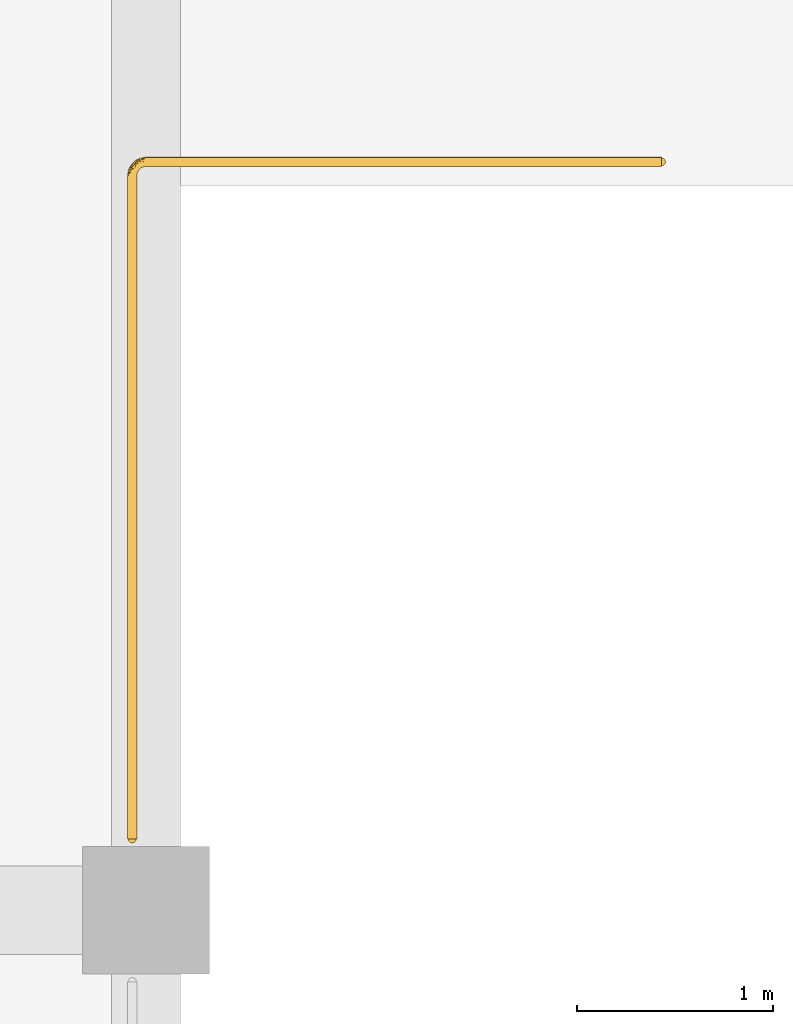
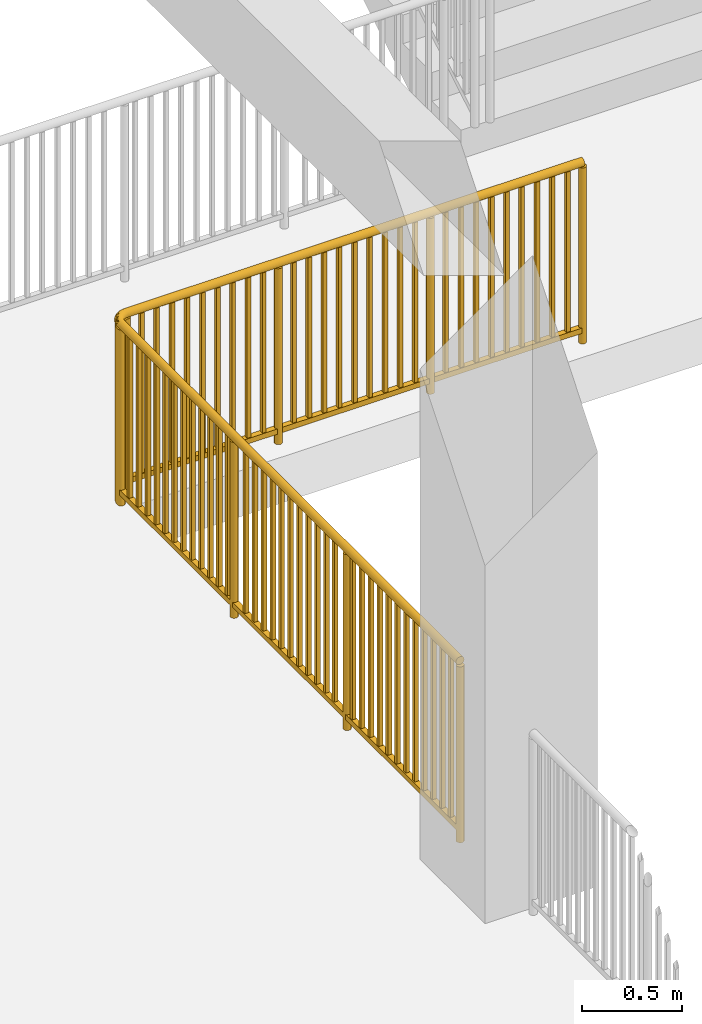
# One storey, part 58 of 63: 1 railing.
"""IFC4 building model written with IfcOpenShell, lengths in metres."""

from ifc_helpers import new_model, si_unit, direction, frame, origin, origin_2d, place, context, subcontext, project, spatial, rectangle, circle, extrude, material, type_object, element, save


model = new_model("IFC4")

# Units and contexts
model_context = context("Model", 3, precision=1e-05, world=origin(), true_north=direction((0.0, 1.0)))
body_context = subcontext(model_context, "Body", "Model", "MODEL_VIEW")
ifc_project = project(units=[si_unit("LENGTHUNIT", "METRE"), si_unit("AREAUNIT", "SQUARE_METRE"), si_unit("VOLUMEUNIT", "CUBIC_METRE"), si_unit("PLANEANGLEUNIT", "RADIAN"), si_unit("MASSUNIT", "GRAM", prefix="KILO")], contexts=[model_context])

# Site, building, storey
site_placement = place(None, origin())
site = spatial("IfcSite", under=ifc_project, at=site_placement, CompositionType="ELEMENT")
building_placement = place(site_placement, origin())
building = spatial("IfcBuilding", under=site, at=building_placement, Name="Zantavel Square City Hall", CompositionType="ELEMENT")
storey_placement = place(building_placement, frame((0.0, 0.0, 14.699951171875)))
storey = spatial("IfcBuildingStorey", under=building, at=storey_placement, Name="L04", CompositionType="ELEMENT", Elevation=14.699951171875)

# Railing
ifc_material = material(Name="Steel ASTM A500 Grade B", Category="steel")
railing_type = type_object("IfcRailingType", Name="Classical Stone & Steel Terrace Balustrade 1100mm", PredefinedType="BALUSTRADE", material=ifc_material)
railing_placement = place(storey_placement, frame((114.6298828125, 49.419921875, 0.0)))
element("IfcRailing", 1, at=railing_placement, inside=storey, type_object=railing_type, Name="L04 Terrace Balustrade 043", PredefinedType="BALUSTRADE", context=body_context, shape_type="SweptSolid", body=[
    extrude(circle(Radius=0.02392578125, at=origin_2d()), frame((0.0, 0.0, 1.09619140625), z_axis=(-1.0, 0.0, 0.0), x_axis=(0.0, -1.0, 0.0)), (0.0, 0.0, 1.0), 2.6298828125),
    extrude(rectangle(XDim=0.031982421875, YDim=0.031982421875, at=origin_2d()), frame((0.0, 0.0, 0.080078125), z_axis=(-1.0, 0.0, 0.0), x_axis=(0.0, -1.0, 0.0)), (0.0, 0.0, 1.0), 2.6298828125),
    extrude(rectangle(XDim=0.02197265625, YDim=0.02197265625, at=origin_2d()), frame((-0.087646484375, 0.0, 0.080078125)), (0.0, 0.0, 1.0), 0.991943359375),
    extrude(rectangle(XDim=0.02197265625, YDim=0.02197265625, at=origin_2d()), frame((-0.17529296875, 0.0, 0.080078125)), (0.0, 0.0, 1.0), 0.991943359375),
    extrude(rectangle(XDim=0.02197265625, YDim=0.02197265625, at=origin_2d()), frame((-0.262939453125, 0.0, 0.080078125)), (0.0, 0.0, 1.0), 0.991943359375),
    extrude(rectangle(XDim=0.02197265625, YDim=0.02197265625, at=origin_2d()), frame((-0.3505859375, 0.0, 0.080078125)), (0.0, 0.0, 1.0), 0.991943359375),
    extrude(rectangle(XDim=0.02197265625, YDim=0.02197265625, at=origin_2d()), frame((-0.438232421875, 0.0, 0.080078125)), (0.0, 0.0, 1.0), 0.991943359375),
    extrude(rectangle(XDim=0.02197265625, YDim=0.02197265625, at=origin_2d()), frame((-0.52587890625, 0.0, 0.080078125)), (0.0, 0.0, 1.0), 0.991943359375),
    extrude(rectangle(XDim=0.02197265625, YDim=0.02197265625, at=origin_2d()), frame((-0.613525390625, 0.0, 0.080078125)), (0.0, 0.0, 1.0), 0.991943359375),
    extrude(rectangle(XDim=0.02197265625, YDim=0.02197265625, at=origin_2d()), frame((-0.701416015625, 0.0, 0.080078125)), (0.0, 0.0, 1.0), 0.991943359375),
    extrude(rectangle(XDim=0.02197265625, YDim=0.02197265625, at=origin_2d()), frame((-0.7890625, 0.0, 0.080078125)), (0.0, 0.0, 1.0), 0.991943359375),
    extrude(rectangle(XDim=0.02197265625, YDim=0.02197265625, at=origin_2d()), frame((-0.96435546875, 0.0, 0.080078125)), (0.0, 0.0, 1.0), 0.991943359375),
    extrude(rectangle(XDim=0.02197265625, YDim=0.02197265625, at=origin_2d()), frame((-1.052001953125, 0.0, 0.080078125)), (0.0, 0.0, 1.0), 0.991943359375),
    extrude(rectangle(XDim=0.02197265625, YDim=0.02197265625, at=origin_2d()), frame((-1.1396484375, 0.0, 0.080078125)), (0.0, 0.0, 1.0), 0.991943359375),
    extrude(rectangle(XDim=0.02197265625, YDim=0.02197265625, at=origin_2d()), frame((-1.227294921875, 0.0, 0.080078125)), (0.0, 0.0, 1.0), 0.991943359375),
    extrude(rectangle(XDim=0.02197265625, YDim=0.02197265625, at=origin_2d()), frame((-1.31494140625, 0.0, 0.080078125)), (0.0, 0.0, 1.0), 0.991943359375),
    extrude(rectangle(XDim=0.02197265625, YDim=0.02197265625, at=origin_2d()), frame((-1.402587890625, 0.0, 0.080078125)), (0.0, 0.0, 1.0), 0.991943359375),
    extrude(rectangle(XDim=0.02197265625, YDim=0.02197265625, at=origin_2d()), frame((-1.490234375, 0.0, 0.080078125)), (0.0, 0.0, 1.0), 0.991943359375),
    extrude(rectangle(XDim=0.02197265625, YDim=0.02197265625, at=origin_2d()), frame((-1.577880859375, 0.0, 0.080078125)), (0.0, 0.0, 1.0), 0.991943359375),
    extrude(rectangle(XDim=0.02197265625, YDim=0.02197265625, at=origin_2d()), frame((-1.66552734375, 0.0, 0.080078125)), (0.0, 0.0, 1.0), 0.991943359375),
    extrude(rectangle(XDim=0.02197265625, YDim=0.02197265625, at=origin_2d()), frame((-1.8408203125, 0.0, 0.080078125)), (0.0, 0.0, 1.0), 0.991943359375),
    extrude(rectangle(XDim=0.02197265625, YDim=0.02197265625, at=origin_2d()), frame((-1.928466796875, 0.0, 0.080078125)), (0.0, 0.0, 1.0), 0.991943359375),
    extrude(rectangle(XDim=0.02197265625, YDim=0.02197265625, at=origin_2d()), frame((-2.016357421875, 0.0, 0.080078125)), (0.0, 0.0, 1.0), 0.991943359375),
    extrude(rectangle(XDim=0.02197265625, YDim=0.02197265625, at=origin_2d()), frame((-2.10400390625, 0.0, 0.080078125)), (0.0, 0.0, 1.0), 0.991943359375),
    extrude(rectangle(XDim=0.02197265625, YDim=0.02197265625, at=origin_2d()), frame((-2.191650390625, 0.0, 0.080078125)), (0.0, 0.0, 1.0), 0.991943359375),
    extrude(rectangle(XDim=0.02197265625, YDim=0.02197265625, at=origin_2d()), frame((-2.279296875, 0.0, 0.080078125)), (0.0, 0.0, 1.0), 0.991943359375),
    extrude(rectangle(XDim=0.02197265625, YDim=0.02197265625, at=origin_2d()), frame((-2.366943359375, 0.0, 0.080078125)), (0.0, 0.0, 1.0), 0.991943359375),
    extrude(rectangle(XDim=0.02197265625, YDim=0.02197265625, at=origin_2d()), frame((-2.45458984375, 0.0, 0.080078125)), (0.0, 0.0, 1.0), 0.991943359375),
    extrude(rectangle(XDim=0.02197265625, YDim=0.02197265625, at=origin_2d()), frame((-2.542236328125, 0.0, 0.080078125)), (0.0, 0.0, 1.0), 0.991943359375),
    extrude(circle(Radius=0.02392578125, at=origin_2d()), frame((-2.6298828125, 0.0, 1.09619140625), z_axis=(-0.999362854348, -0.035691530512, 0.0), x_axis=(0.035691530512, -0.999362854348, 0.0)), (0.0, 0.0, 1.0), 0.0068359375),
    extrude(rectangle(XDim=0.031982421875, YDim=0.031982421875, at=origin_2d()), frame((-2.6298828125, 0.0, 0.080078125), z_axis=(-0.999362854348, -0.035691530512, 0.0), x_axis=(0.035691530512, -0.999362854348, 0.0)), (0.0, 0.0, 1.0), 0.0068359375),
    extrude(circle(Radius=0.02392578125, at=origin_2d()), frame((-2.63671875, -0.000244140625, 1.09619140625), z_axis=(-0.989949493661, -0.141421356237, 0.0), x_axis=(0.141421356237, -0.989949493661, 0.0)), (0.0, 0.0, 1.0), 0.0068359375),
    extrude(rectangle(XDim=0.031982421875, YDim=0.031982421875, at=origin_2d()), frame((-2.63671875, -0.000244140625, 0.080078125), z_axis=(-0.989949493661, -0.141421356237, 0.0), x_axis=(0.141421356237, -0.989949493661, 0.0)), (0.0, 0.0, 1.0), 0.0068359375),
    extrude(circle(Radius=0.02392578125, at=origin_2d()), frame((-2.6435546875, -0.001220703125, 1.09619140625), z_axis=(-0.967996898166, -0.250962158784, 0.0), x_axis=(0.250962158784, -0.967996898166, 0.0)), (0.0, 0.0, 1.0), 0.0068359375),
    extrude(rectangle(XDim=0.031982421875, YDim=0.031982421875, at=origin_2d()), frame((-2.6435546875, -0.001220703125, 0.080078125), z_axis=(-0.967996898166, -0.250962158784, 0.0), x_axis=(0.250962158784, -0.967996898166, 0.0)), (0.0, 0.0, 1.0), 0.0068359375),
    extrude(circle(Radius=0.02392578125, at=origin_2d()), frame((-2.650146484375, -0.0029296875, 1.09619140625), z_axis=(-0.948683298051, -0.316227766017, 0.0), x_axis=(0.316227766017, -0.948683298051, 0.0)), (0.0, 0.0, 1.0), 0.0068359375),
    extrude(rectangle(XDim=0.031982421875, YDim=0.031982421875, at=origin_2d()), frame((-2.650146484375, -0.0029296875, 0.080078125), z_axis=(-0.948683298051, -0.316227766017, 0.0), x_axis=(0.316227766017, -0.948683298051, 0.0)), (0.0, 0.0, 1.0), 0.0068359375),
    extrude(circle(Radius=0.02392578125, at=origin_2d()), frame((-2.65673828125, -0.005126953125, 1.09619140625), z_axis=(-0.887216801235, -0.461352736642, 0.0), x_axis=(0.461352736642, -0.887216801235, 0.0)), (0.0, 0.0, 1.0), 0.0068359375),
    extrude(rectangle(XDim=0.031982421875, YDim=0.031982421875, at=origin_2d()), frame((-2.65673828125, -0.005126953125, 0.080078125), z_axis=(-0.887216801235, -0.461352736642, 0.0), x_axis=(0.461352736642, -0.887216801235, 0.0)), (0.0, 0.0, 1.0), 0.0068359375),
    extrude(circle(Radius=0.02392578125, at=origin_2d()), frame((-2.662841796875, -0.00830078125, 1.09619140625), z_axis=(-0.863778900898, -0.503871025524, 0.0), x_axis=(0.503871025524, -0.863778900898, 0.0)), (0.0, 0.0, 1.0), 0.0068359375),
    extrude(rectangle(XDim=0.031982421875, YDim=0.031982421875, at=origin_2d()), frame((-2.662841796875, -0.00830078125, 0.080078125), z_axis=(-0.863778900898, -0.503871025524, 0.0), x_axis=(0.503871025524, -0.863778900898, 0.0)), (0.0, 0.0, 1.0), 0.0068359375),
    extrude(circle(Radius=0.02392578125, at=origin_2d()), frame((-2.668701171875, -0.01171875, 1.09619140625), z_axis=(-0.804176141466, -0.594391061084, 0.0), x_axis=(0.594391061084, -0.804176141466, 0.0)), (0.0, 0.0, 1.0), 0.007080078125),
    extrude(rectangle(XDim=0.031982421875, YDim=0.031982421875, at=origin_2d()), frame((-2.668701171875, -0.01171875, 0.080078125), z_axis=(-0.804176141466, -0.594391061084, 0.0), x_axis=(0.594391061084, -0.804176141466, 0.0)), (0.0, 0.0, 1.0), 0.007080078125),
    extrude(circle(Radius=0.02392578125, at=origin_2d()), frame((-2.67431640625, -0.015869140625, 1.09619140625), z_axis=(-0.741535779124, -0.670913323969, 0.0), x_axis=(0.670913323969, -0.741535779124, 0.0)), (0.0, 0.0, 1.0), 0.0068359375),
    extrude(rectangle(XDim=0.031982421875, YDim=0.031982421875, at=origin_2d()), frame((-2.67431640625, -0.015869140625, 0.080078125), z_axis=(-0.741535779124, -0.670913323969, 0.0), x_axis=(0.670913323969, -0.741535779124, 0.0)), (0.0, 0.0, 1.0), 0.0068359375),
    extrude(circle(Radius=0.02392578125, at=origin_2d()), frame((-2.679443359375, -0.0205078125, 1.09619140625), z_axis=(-0.670913323969, -0.741535779124, 0.0), x_axis=(0.741535779124, -0.670913323969, 0.0)), (0.0, 0.0, 1.0), 0.0068359375),
    extrude(rectangle(XDim=0.031982421875, YDim=0.031982421875, at=origin_2d()), frame((-2.679443359375, -0.0205078125, 0.080078125), z_axis=(-0.670913323969, -0.741535779124, 0.0), x_axis=(0.741535779124, -0.670913323969, 0.0)), (0.0, 0.0, 1.0), 0.0068359375),
    extrude(circle(Radius=0.02392578125, at=origin_2d()), frame((-2.68408203125, -0.025634765625, 1.09619140625), z_axis=(-0.588171697675, -0.808736084303, 0.0), x_axis=(0.808736084303, -0.588171697675, 0.0)), (0.0, 0.0, 1.0), 0.006591796875),
    extrude(rectangle(XDim=0.031982421875, YDim=0.031982421875, at=origin_2d()), frame((-2.68408203125, -0.025634765625, 0.080078125), z_axis=(-0.588171697675, -0.808736084303, 0.0), x_axis=(0.808736084303, -0.588171697675, 0.0)), (0.0, 0.0, 1.0), 0.006591796875),
    extrude(circle(Radius=0.02392578125, at=origin_2d()), frame((-2.68798828125, -0.031005859375, 1.09619140625), z_axis=(-0.529998940003, -0.847998304005, 0.0), x_axis=(0.847998304005, -0.529998940003, 0.0)), (0.0, 0.0, 1.0), 0.0068359375),
    extrude(rectangle(XDim=0.031982421875, YDim=0.031982421875, at=origin_2d()), frame((-2.68798828125, -0.031005859375, 0.080078125), z_axis=(-0.529998940003, -0.847998304005, 0.0), x_axis=(0.847998304005, -0.529998940003, 0.0)), (0.0, 0.0, 1.0), 0.0068359375),
    extrude(circle(Radius=0.02392578125, at=origin_2d()), frame((-2.691650390625, -0.036865234375, 1.09619140625), z_axis=(-0.419058177462, -0.9079593845, 0.0), x_axis=(0.9079593845, -0.419058177462, 0.0)), (0.0, 0.0, 1.0), 0.007080078125),
    extrude(rectangle(XDim=0.031982421875, YDim=0.031982421875, at=origin_2d()), frame((-2.691650390625, -0.036865234375, 0.080078125), z_axis=(-0.419058177462, -0.9079593845, 0.0), x_axis=(0.9079593845, -0.419058177462, 0.0)), (0.0, 0.0, 1.0), 0.007080078125),
    extrude(circle(Radius=0.02392578125, at=origin_2d()), frame((-2.694580078125, -0.043212890625, 1.09619140625), z_axis=(-0.327110563883, -0.94498607344, 0.0), x_axis=(0.94498607344, -0.327110563883, 0.0)), (0.0, 0.0, 1.0), 0.0068359375),
    extrude(rectangle(XDim=0.031982421875, YDim=0.031982421875, at=origin_2d()), frame((-2.694580078125, -0.043212890625, 0.080078125), z_axis=(-0.327110563883, -0.94498607344, 0.0), x_axis=(0.94498607344, -0.327110563883, 0.0)), (0.0, 0.0, 1.0), 0.0068359375),
    extrude(circle(Radius=0.02392578125, at=origin_2d()), frame((-2.69677734375, -0.049560546875, 1.09619140625), z_axis=(-0.250962158784, -0.967996898166, 0.0), x_axis=(0.967996898166, -0.250962158784, 0.0)), (0.0, 0.0, 1.0), 0.0068359375),
    extrude(rectangle(XDim=0.031982421875, YDim=0.031982421875, at=origin_2d()), frame((-2.69677734375, -0.049560546875, 0.080078125), z_axis=(-0.250962158784, -0.967996898166, 0.0), x_axis=(0.967996898166, -0.250962158784, 0.0)), (0.0, 0.0, 1.0), 0.0068359375),
    extrude(circle(Radius=0.02392578125, at=origin_2d()), frame((-2.698486328125, -0.05615234375, 1.09619140625), z_axis=(-0.141421356237, -0.989949493661, 0.0), x_axis=(0.989949493661, -0.141421356237, 0.0)), (0.0, 0.0, 1.0), 0.0068359375),
    extrude(rectangle(XDim=0.031982421875, YDim=0.031982421875, at=origin_2d()), frame((-2.698486328125, -0.05615234375, 0.080078125), z_axis=(-0.141421356237, -0.989949493661, 0.0), x_axis=(0.989949493661, -0.141421356237, 0.0)), (0.0, 0.0, 1.0), 0.0068359375),
    extrude(circle(Radius=0.02392578125, at=origin_2d()), frame((-2.699462890625, -0.06298828125, 1.09619140625), z_axis=(-0.071247049988, -0.997458699831, 0.0), x_axis=(0.997458699831, -0.071247049988, 0.0)), (0.0, 0.0, 1.0), 0.0068359375),
    extrude(rectangle(XDim=0.031982421875, YDim=0.031982421875, at=origin_2d()), frame((-2.699462890625, -0.06298828125, 0.080078125), z_axis=(-0.071247049988, -0.997458699831, 0.0), x_axis=(0.997458699831, -0.071247049988, 0.0)), (0.0, 0.0, 1.0), 0.0068359375),
    extrude(circle(Radius=0.02392578125, at=origin_2d()), frame((-2.699951171875, -0.06982421875, 1.09619140625), z_axis=(0.0, -1.0, 0.0), x_axis=(1.0, 0.0, 0.0)), (0.0, 0.0, 1.0), 3.385009765625),
    extrude(rectangle(XDim=0.031982421875, YDim=0.031982421875, at=origin_2d()), frame((-2.699951171875, -0.06982421875, 0.080078125), z_axis=(0.0, -1.0, 0.0), x_axis=(1.0, 0.0, 0.0)), (0.0, 0.0, 1.0), 3.385009765625),
    extrude(rectangle(XDim=0.02197265625, YDim=0.02197265625, at=origin_2d()), frame((-2.699951171875, -0.158935546875, 0.080078125)), (0.0, 0.0, 1.0), 0.991943359375),
    extrude(rectangle(XDim=0.02197265625, YDim=0.02197265625, at=origin_2d()), frame((-2.699951171875, -0.248046875, 0.080078125)), (0.0, 0.0, 1.0), 0.991943359375),
    extrude(rectangle(XDim=0.02197265625, YDim=0.02197265625, at=origin_2d()), frame((-2.699951171875, -0.337158203125, 0.080078125)), (0.0, 0.0, 1.0), 0.991943359375),
    extrude(rectangle(XDim=0.02197265625, YDim=0.02197265625, at=origin_2d()), frame((-2.699951171875, -0.426025390625, 0.080078125)), (0.0, 0.0, 1.0), 0.991943359375),
    extrude(rectangle(XDim=0.02197265625, YDim=0.02197265625, at=origin_2d()), frame((-2.699951171875, -0.51513671875, 0.080078125)), (0.0, 0.0, 1.0), 0.991943359375),
    extrude(rectangle(XDim=0.02197265625, YDim=0.02197265625, at=origin_2d()), frame((-2.699951171875, -0.604248046875, 0.080078125)), (0.0, 0.0, 1.0), 0.991943359375),
    extrude(rectangle(XDim=0.02197265625, YDim=0.02197265625, at=origin_2d()), frame((-2.699951171875, -0.693359375, 0.080078125)), (0.0, 0.0, 1.0), 0.991943359375),
    extrude(rectangle(XDim=0.02197265625, YDim=0.02197265625, at=origin_2d()), frame((-2.699951171875, -0.782470703125, 0.080078125)), (0.0, 0.0, 1.0), 0.991943359375),
    extrude(rectangle(XDim=0.02197265625, YDim=0.02197265625, at=origin_2d()), frame((-2.699951171875, -0.87158203125, 0.080078125)), (0.0, 0.0, 1.0), 0.991943359375),
    extrude(rectangle(XDim=0.02197265625, YDim=0.02197265625, at=origin_2d()), frame((-2.699951171875, -0.960693359375, 0.080078125)), (0.0, 0.0, 1.0), 0.991943359375),
    extrude(rectangle(XDim=0.02197265625, YDim=0.02197265625, at=origin_2d()), frame((-2.699951171875, -1.0498046875, 0.080078125)), (0.0, 0.0, 1.0), 0.991943359375),
    extrude(rectangle(XDim=0.02197265625, YDim=0.02197265625, at=origin_2d()), frame((-2.699951171875, -1.138671875, 0.080078125)), (0.0, 0.0, 1.0), 0.991943359375),
    extrude(rectangle(XDim=0.02197265625, YDim=0.02197265625, at=origin_2d()), frame((-2.699951171875, -1.31689453125, 0.080078125)), (0.0, 0.0, 1.0), 0.991943359375),
    extrude(rectangle(XDim=0.02197265625, YDim=0.02197265625, at=origin_2d()), frame((-2.699951171875, -1.406005859375, 0.080078125)), (0.0, 0.0, 1.0), 0.991943359375),
    extrude(rectangle(XDim=0.02197265625, YDim=0.02197265625, at=origin_2d()), frame((-2.699951171875, -1.4951171875, 0.080078125)), (0.0, 0.0, 1.0), 0.991943359375),
    extrude(rectangle(XDim=0.02197265625, YDim=0.02197265625, at=origin_2d()), frame((-2.699951171875, -1.584228515625, 0.080078125)), (0.0, 0.0, 1.0), 0.991943359375),
    extrude(rectangle(XDim=0.02197265625, YDim=0.02197265625, at=origin_2d()), frame((-2.699951171875, -1.67333984375, 0.080078125)), (0.0, 0.0, 1.0), 0.991943359375),
    extrude(rectangle(XDim=0.02197265625, YDim=0.02197265625, at=origin_2d()), frame((-2.699951171875, -1.76220703125, 0.080078125)), (0.0, 0.0, 1.0), 0.991943359375),
    extrude(rectangle(XDim=0.02197265625, YDim=0.02197265625, at=origin_2d()), frame((-2.699951171875, -1.851318359375, 0.080078125)), (0.0, 0.0, 1.0), 0.991943359375),
    extrude(rectangle(XDim=0.02197265625, YDim=0.02197265625, at=origin_2d()), frame((-2.699951171875, -1.9404296875, 0.080078125)), (0.0, 0.0, 1.0), 0.991943359375),
    extrude(rectangle(XDim=0.02197265625, YDim=0.02197265625, at=origin_2d()), frame((-2.699951171875, -2.029541015625, 0.080078125)), (0.0, 0.0, 1.0), 0.991943359375),
    extrude(rectangle(XDim=0.02197265625, YDim=0.02197265625, at=origin_2d()), frame((-2.699951171875, -2.11865234375, 0.080078125)), (0.0, 0.0, 1.0), 0.991943359375),
    extrude(rectangle(XDim=0.02197265625, YDim=0.02197265625, at=origin_2d()), frame((-2.699951171875, -2.207763671875, 0.080078125)), (0.0, 0.0, 1.0), 0.991943359375),
    extrude(rectangle(XDim=0.02197265625, YDim=0.02197265625, at=origin_2d()), frame((-2.699951171875, -2.385986328125, 0.080078125)), (0.0, 0.0, 1.0), 0.991943359375),
    extrude(rectangle(XDim=0.02197265625, YDim=0.02197265625, at=origin_2d()), frame((-2.699951171875, -2.474853515625, 0.080078125)), (0.0, 0.0, 1.0), 0.991943359375),
    extrude(rectangle(XDim=0.02197265625, YDim=0.02197265625, at=origin_2d()), frame((-2.699951171875, -2.56396484375, 0.080078125)), (0.0, 0.0, 1.0), 0.991943359375),
    extrude(rectangle(XDim=0.02197265625, YDim=0.02197265625, at=origin_2d()), frame((-2.699951171875, -2.653076171875, 0.080078125)), (0.0, 0.0, 1.0), 0.991943359375),
    extrude(rectangle(XDim=0.02197265625, YDim=0.02197265625, at=origin_2d()), frame((-2.699951171875, -2.7421875, 0.080078125)), (0.0, 0.0, 1.0), 0.991943359375),
    extrude(rectangle(XDim=0.02197265625, YDim=0.02197265625, at=origin_2d()), frame((-2.699951171875, -2.831298828125, 0.080078125)), (0.0, 0.0, 1.0), 0.991943359375),
    extrude(rectangle(XDim=0.02197265625, YDim=0.02197265625, at=origin_2d()), frame((-2.699951171875, -2.92041015625, 0.080078125)), (0.0, 0.0, 1.0), 0.991943359375),
    extrude(rectangle(XDim=0.02197265625, YDim=0.02197265625, at=origin_2d()), frame((-2.699951171875, -3.009521484375, 0.080078125)), (0.0, 0.0, 1.0), 0.991943359375),
    extrude(rectangle(XDim=0.02197265625, YDim=0.02197265625, at=origin_2d()), frame((-2.699951171875, -3.0986328125, 0.080078125)), (0.0, 0.0, 1.0), 0.991943359375),
    extrude(rectangle(XDim=0.02197265625, YDim=0.02197265625, at=origin_2d()), frame((-2.699951171875, -3.1875, 0.080078125)), (0.0, 0.0, 1.0), 0.991943359375),
    extrude(rectangle(XDim=0.02197265625, YDim=0.02197265625, at=origin_2d()), frame((-2.699951171875, -3.276611328125, 0.080078125)), (0.0, 0.0, 1.0), 0.991943359375),
    extrude(rectangle(XDim=0.02197265625, YDim=0.02197265625, at=origin_2d()), frame((-2.699951171875, -3.36572265625, 0.080078125)), (0.0, 0.0, 1.0), 0.991943359375),
    extrude(circle(Radius=0.02099609375, at=origin_2d()), origin(), (0.0, 0.0, 1.0), 1.072021484375),
    extrude(circle(Radius=0.02099609375, at=origin_2d()), frame((-0.876708984375, 0.0, 0.0)), (0.0, 0.0, 1.0), 1.072021484375),
    extrude(circle(Radius=0.02099609375, at=origin_2d()), frame((-1.753173828125, 0.0, 0.0)), (0.0, 0.0, 1.0), 1.072021484375),
    extrude(circle(Radius=0.02099609375, at=origin_2d()), frame((-2.6298828125, 0.0, 0.0)), (0.0, 0.0, 1.0), 1.072021484375),
    extrude(circle(Radius=0.02099609375, at=origin_2d()), frame((-2.63671875, -0.000244140625, 0.0)), (0.0, 0.0, 1.0), 1.072021484375),
    extrude(circle(Radius=0.02099609375, at=origin_2d()), frame((-2.6435546875, -0.001220703125, 0.0)), (0.0, 0.0, 1.0), 1.072021484375),
    extrude(circle(Radius=0.02099609375, at=origin_2d()), frame((-2.650146484375, -0.0029296875, 0.0)), (0.0, 0.0, 1.0), 1.072021484375),
    extrude(circle(Radius=0.02099609375, at=origin_2d()), frame((-2.65673828125, -0.005126953125, 0.0)), (0.0, 0.0, 1.0), 1.072021484375),
    extrude(circle(Radius=0.02099609375, at=origin_2d()), frame((-2.662841796875, -0.00830078125, 0.0)), (0.0, 0.0, 1.0), 1.072021484375),
    extrude(circle(Radius=0.02099609375, at=origin_2d()), frame((-2.668701171875, -0.01171875, 0.0)), (0.0, 0.0, 1.0), 1.072021484375),
    extrude(circle(Radius=0.02099609375, at=origin_2d()), frame((-2.67431640625, -0.015869140625, 0.0)), (0.0, 0.0, 1.0), 1.072021484375),
    extrude(circle(Radius=0.02099609375, at=origin_2d()), frame((-2.679443359375, -0.0205078125, 0.0)), (0.0, 0.0, 1.0), 1.072021484375),
    extrude(circle(Radius=0.02099609375, at=origin_2d()), frame((-2.68408203125, -0.025634765625, 0.0)), (0.0, 0.0, 1.0), 1.072021484375),
    extrude(circle(Radius=0.02099609375, at=origin_2d()), frame((-2.68798828125, -0.031005859375, 0.0)), (0.0, 0.0, 1.0), 1.072021484375),
    extrude(circle(Radius=0.02099609375, at=origin_2d()), frame((-2.691650390625, -0.036865234375, 0.0)), (0.0, 0.0, 1.0), 1.072021484375),
    extrude(circle(Radius=0.02099609375, at=origin_2d()), frame((-2.694580078125, -0.043212890625, 0.0)), (0.0, 0.0, 1.0), 1.072021484375),
    extrude(circle(Radius=0.02099609375, at=origin_2d()), frame((-2.69677734375, -0.049560546875, 0.0)), (0.0, 0.0, 1.0), 1.072021484375),
    extrude(circle(Radius=0.02099609375, at=origin_2d()), frame((-2.698486328125, -0.05615234375, 0.0)), (0.0, 0.0, 1.0), 1.072021484375),
    extrude(circle(Radius=0.02099609375, at=origin_2d()), frame((-2.699462890625, -0.06298828125, 0.0)), (0.0, 0.0, 1.0), 1.072021484375),
    extrude(circle(Radius=0.02099609375, at=origin_2d()), frame((-2.699951171875, -0.06982421875, 0.0)), (0.0, 0.0, 1.0), 1.072021484375),
    extrude(circle(Radius=0.02099609375, at=origin_2d()), frame((-2.699951171875, -1.1982421875, 0.0)), (0.0, 0.0, 1.0), 1.072021484375),
    extrude(circle(Radius=0.02099609375, at=origin_2d()), frame((-2.699951171875, -2.326416015625, 0.0)), (0.0, 0.0, 1.0), 1.072021484375),
    extrude(circle(Radius=0.02099609375, at=origin_2d()), frame((-2.699951171875, -3.454833984375, 0.0)), (0.0, 0.0, 1.0), 1.072021484375),
])

save(model, "model.ifc")
